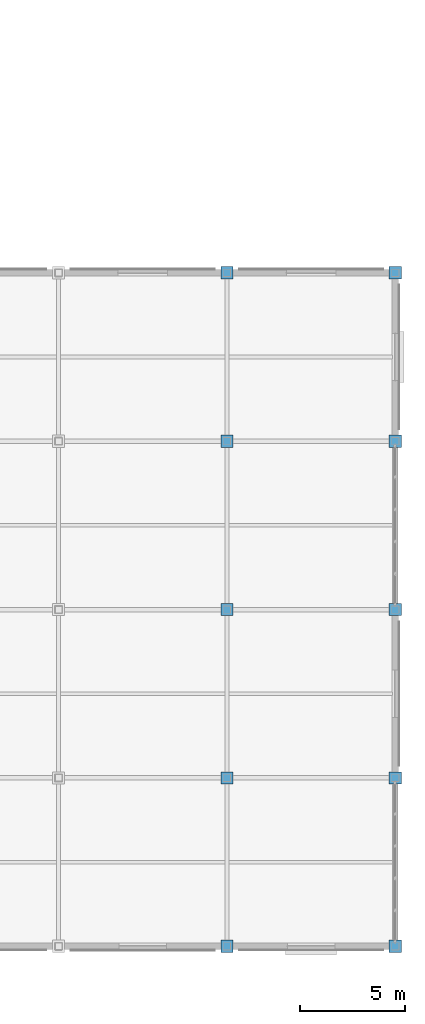
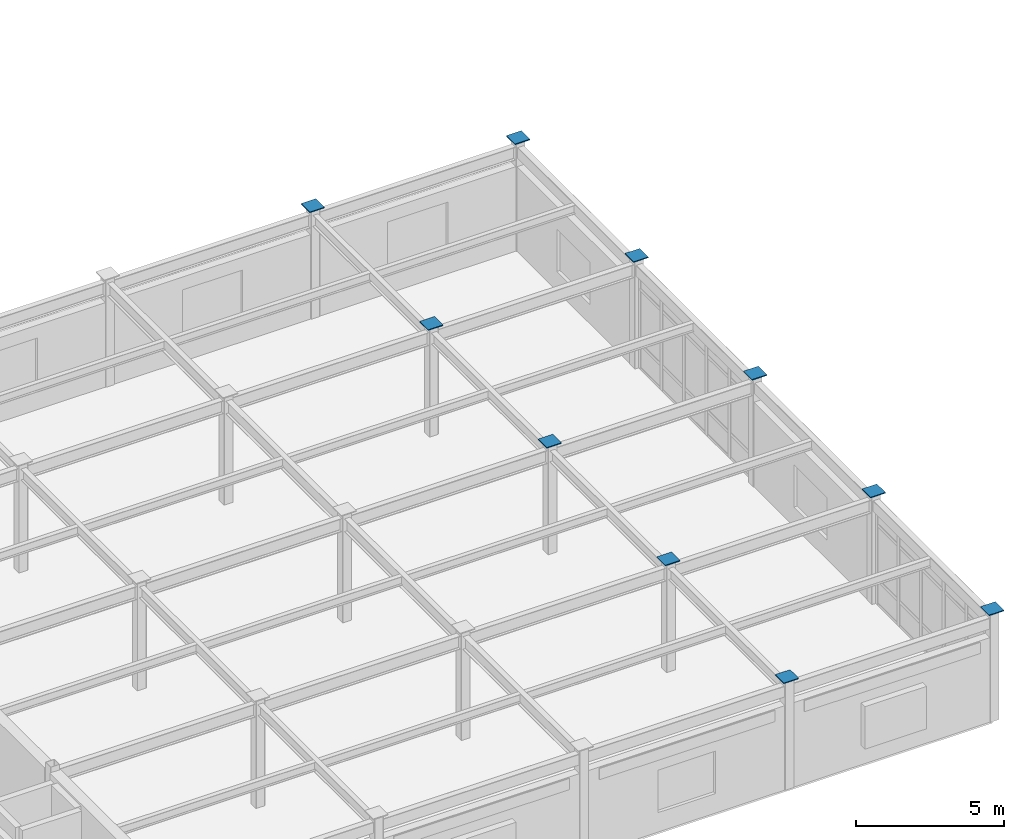
# One storey, part 98 of 111: 10 discrete accessories.
"""IFC4 building model written with IfcOpenShell, lengths in metres."""

from ifc_helpers import new_model, si_unit, direction, frame, origin, origin_2d, place, context, subcontext, project, spatial, rectangle, extrude, material, layer, layer_set, type_object, element, save


model = new_model("IFC4")

# Units and contexts
model_context = context("Model", 3, precision=1e-05, world=origin(), true_north=direction((0.0, 1.0)))
body_context = subcontext(model_context, "Body", "Model", "MODEL_VIEW")
ifc_project = project(units=[si_unit("LENGTHUNIT", "METRE"), si_unit("AREAUNIT", "SQUARE_METRE"), si_unit("VOLUMEUNIT", "CUBIC_METRE"), si_unit("PLANEANGLEUNIT", "RADIAN"), si_unit("MASSUNIT", "GRAM", prefix="KILO")], contexts=[model_context])

# Site, building, storey
site_placement = place(None, origin())
site = spatial("IfcSite", under=ifc_project, at=site_placement, CompositionType="ELEMENT")
building_placement = place(site_placement, origin())
building = spatial("IfcBuilding", under=site, at=building_placement, Name="Solmirada Galleria", CompositionType="ELEMENT")
storey_placement = place(building_placement, frame((0.0, 0.0, 10.39990234375)))
storey = spatial("IfcBuildingStorey", under=building, at=storey_placement, Name="L02", CompositionType="ELEMENT", Elevation=10.39990234375)

# Discrete accessories
ifc_material = material(Name="Steel S355 / ASTM A572 Grade 50", Category="steel")
ifc_layer = layer(ifc_material, 0.031982421875)
ifc_layer_set = layer_set([ifc_layer], Name="Steel S355 / ASTM A572 Grade 50")
discrete_accessory_type = type_object("IfcDiscreteAccessoryType", Name="ACC-COL-CAP", PredefinedType="BRACKET", material=ifc_layer_set)
for number, where, z_axis, x_axis, name in (
    (1, (168.0, 0.0, 4.494140625), (0.0, 0.0, 1.0), (1.0, 0.0, 0.0), "Hollow column cap plate L02-1440"),
    (2, (168.0, 8.0, 4.494140625), (0.0, 0.0, 1.0), (1.0, 0.0, 0.0), "Hollow column cap plate L02-1444"),
    (3, (168.0, 16.0, 4.494140625), (0.0, 0.0, 1.0), (1.0, 0.0, 0.0), "Hollow column cap plate L02-1448"),
    (4, (168.0, 24.0, 4.494140625), (0.0, 0.0, 1.0), (1.0, 0.0, 0.0), "Hollow column cap plate L02-1452"),
    (5, (168.0, 32.0, 4.494140625), (0.0, 0.0, 1.0), (1.0, 0.0, 0.0), "Hollow column cap plate L02-1456"),
    (6, (176.0, 0.0, 4.494140625), (0.0, 0.0, 1.0), (1.0, 0.0, 0.0), "Hollow column cap plate L02-1513"),
    (7, (176.0, 8.0, 4.494140625), (0.0, 0.0, 1.0), (1.0, 0.0, 0.0), "Hollow column cap plate L02-1517"),
    (8, (176.0, 16.0, 4.494140625), (0.0, 0.0, 1.0), (1.0, 0.0, 0.0), "Hollow column cap plate L02-1521"),
    (9, (176.0, 24.0, 4.494140625), (0.0, 0.0, 1.0), (1.0, 0.0, 0.0), "Hollow column cap plate L02-1525"),
    (10, (176.0, 32.0, 4.494140625), (0.0, 0.0, 1.0), (1.0, 0.0, 0.0), "Hollow column cap plate L02-1529"),
):
    element("IfcDiscreteAccessory", number, at=place(storey_placement, frame(where, z_axis=z_axis, x_axis=x_axis)), inside=storey, type_object=discrete_accessory_type, Name=name, PredefinedType="BRACKET", context=body_context, shape_type="SweptSolid", body=[
        extrude(rectangle(XDim=0.580078125, YDim=0.580078125, at=origin_2d()), origin(), (0.0, 0.0, 1.0), 0.035888671875),
    ])

save(model, "model.ifc")
